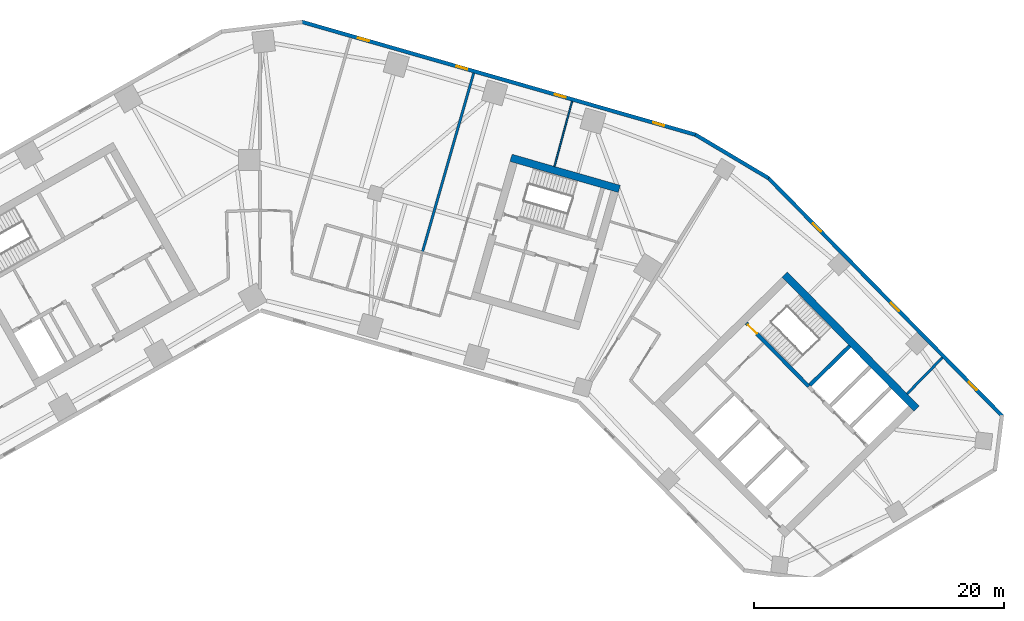
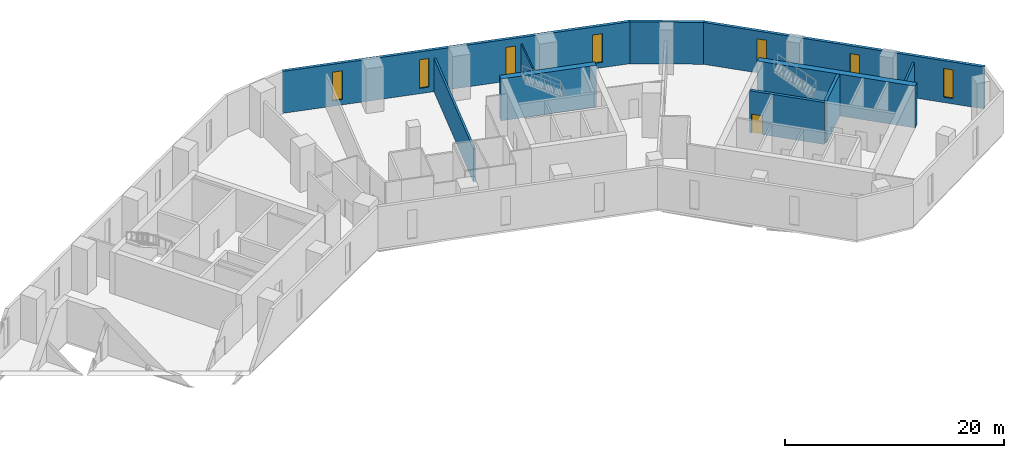
# One storey, part 7 of 10: 10 walls, 7 windows, 1 door, 8 openings.
"""IFC4 building model written with IfcOpenShell, lengths in metres."""

import ifcopenshell
import ifcopenshell.guid

model = None  # the IFC model being written
_history = None  # IfcOwnerHistory: only IFC2X3 demands one
_inside = {}  # id of a spatial element -> (the spatial element, [elements in it])
_under = {}  # id of a project, library or spatial element -> (it, [spatial elements below it])
_declared = {}  # id of a project -> (the project, [libraries it declares])
_typed = {}  # id of a type object -> (the type object, [elements of that type])
_made_of = {}  # id of a material, layer set ... -> (it, [elements and type objects made of it])


def new_model(schema):
    """Start an empty IFC model of exactly this schema.

    Asked for "IFC4X3", IfcOpenShell would pick the latest addendum, in which some entities
    have other attributes; the version numbers below select the first issue.
    IFC2X3 requires an IfcOwnerHistory on every rooted entity: one is made here for all.
    """
    global model, _history
    if schema == "IFC4X3":
        model = ifcopenshell.file(schema_version=(4, 3, 0, 0))
    else:
        model = ifcopenshell.file(schema=schema)
    _inside.clear()
    _under.clear()
    _declared.clear()
    _typed.clear()
    _made_of.clear()
    _history = None
    if model.schema == "IFC2X3":
        org = make("IfcOrganization", Name="unknown")
        user = make(
            "IfcPersonAndOrganization",
            ThePerson=make("IfcPerson", FamilyName="unknown"),
            TheOrganization=org,
        )
        app = make(
            "IfcApplication",
            ApplicationDeveloper=org,
            Version="unknown",
            ApplicationFullName="unknown",
            ApplicationIdentifier="unknown",
        )
        _history = make(
            "IfcOwnerHistory",
            OwningUser=user,
            OwningApplication=app,
            ChangeAction="ADDED",
            CreationDate=0,
        )
    return model


def make(cls, **values):
    """One entity of the class cls with the attributes given. An attribute that is None is left unset."""
    return model.create_entity(
        cls, **{name: value for name, value in values.items() if value is not None}
    )


def rooted(cls, **values):
    """An entity with a GlobalId (a new one), such as an element, a storey or a relation."""
    return make(cls, GlobalId=ifcopenshell.guid.new(), OwnerHistory=_history, **values)


def si_unit(unit_type, name, prefix=None):
    """IfcSIUnit, for example si_unit("LENGTHUNIT", "METRE", prefix="MILLI")."""
    return make("IfcSIUnit", UnitType=unit_type, Prefix=prefix, Name=name)


def assignment(units):
    """IfcUnitAssignment: the units of a project."""
    return None if units is None else make("IfcUnitAssignment", Units=units)


def point(xyz):
    """IfcCartesianPoint."""
    return None if xyz is None else make("IfcCartesianPoint", Coordinates=xyz)


def direction(xyz):
    """IfcDirection."""
    return None if xyz is None else make("IfcDirection", DirectionRatios=xyz)


def frame(location, z_axis=None, x_axis=None):
    """IfcAxis2Placement3D, a coordinate frame: its origin and axes. An axis left out is left unset."""
    return make(
        "IfcAxis2Placement3D",
        Location=point(location),
        Axis=direction(z_axis),
        RefDirection=direction(x_axis),
    )


def frame_2d(location, x_axis=None):
    """IfcAxis2Placement2D, a coordinate frame in the plane: its origin and x axis."""
    return make(
        "IfcAxis2Placement2D", Location=point(location), RefDirection=direction(x_axis)
    )


def origin():
    """The frame at (0, 0, 0) with its axes left unset."""
    return frame((0.0, 0.0, 0.0))


def place(relative_to, where):
    """IfcLocalPlacement: puts the frame where relative to a parent placement (None: the world)."""
    return make(
        "IfcLocalPlacement", PlacementRelTo=relative_to, RelativePlacement=where
    )


def context(
    kind, dimensions, precision=None, world=None, true_north=None, identifier=None
):
    """IfcGeometricRepresentationContext, for example the 3D "Model" context."""
    return make(
        "IfcGeometricRepresentationContext",
        ContextIdentifier=identifier,
        ContextType=kind,
        CoordinateSpaceDimension=dimensions,
        Precision=precision,
        WorldCoordinateSystem=world,
        TrueNorth=true_north,
    )


def subcontext(parent, identifier, kind, view, scale=None):
    """IfcGeometricRepresentationSubContext, for example "Body" below "Model"."""
    return make(
        "IfcGeometricRepresentationSubContext",
        ContextIdentifier=identifier,
        ContextType=kind,
        ParentContext=parent,
        TargetScale=scale,
        TargetView=view,
    )


def project(units=None, contexts=None):
    """IfcProject with its units and contexts."""
    return rooted(
        "IfcProject",
        Name="project",
        RepresentationContexts=contexts,
        UnitsInContext=assignment(units),
    )


def spatial(cls, under=None, at=None, **own):
    """A site, building, storey or space (cls), placed at a placement, below another one or the project."""
    s = rooted(cls, ObjectPlacement=at, **own)
    if under is not None:
        _under.setdefault(under.id(), (under, []))[1].append(s)
    return s


def profile(cls, at=None, kind="AREA", **sizes):
    """A parametric profile (cls). Its sizes go by their IFC names, for example OverallWidth=200.0."""
    return make(cls, ProfileType=kind, Position=at, **sizes)


def rectangle(**sizes):
    """IfcRectangleProfileDef."""
    return profile("IfcRectangleProfileDef", **sizes)


def extrude(swept, where, along, depth):
    """IfcExtrudedAreaSolid: the profile swept, set in the frame where, extruded along a direction by depth."""
    return make(
        "IfcExtrudedAreaSolid",
        SweptArea=swept,
        Position=where,
        ExtrudedDirection=direction(along),
        Depth=depth,
    )


def shape(context_of_items, identifier, shape_type, items):
    """IfcShapeRepresentation: the items that make up one representation, for example the "Body"."""
    return make(
        "IfcShapeRepresentation",
        ContextOfItems=context_of_items,
        RepresentationIdentifier=identifier,
        RepresentationType=shape_type,
        Items=items,
    )


def material(Name=None, Category=None):
    """IfcMaterial."""
    return make("IfcMaterial", Name=Name, Category=Category)


def layer(
    of_material, thickness, ventilated=None, Name=None, Category=None, Priority=None
):
    """IfcMaterialLayer: one layer of a wall or slab, of a material (None: an air gap)."""
    return make(
        "IfcMaterialLayer",
        Material=of_material,
        LayerThickness=thickness,
        IsVentilated=ventilated,
        Name=Name,
        Category=Category,
        Priority=Priority,
    )


def layer_set(layers, Name=None):
    """IfcMaterialLayerSet."""
    return make("IfcMaterialLayerSet", MaterialLayers=layers, LayerSetName=Name)


def made_of(thing, what):
    """Note that an element or type object is made of a material, layer set ...; save() writes the relation."""
    if what is not None:
        _made_of.setdefault(what.id(), (what, []))[1].append(thing)
    return thing


def type_object(cls, material=None, **own):
    """A type object (cls), such as IfcWallType, which elements share."""
    return made_of(rooted(cls, **own), material)


def element(
    cls,
    number,
    at=None,
    inside=None,
    cuts=None,
    type_object=None,
    material=None,
    context=None,
    identifier="Body",
    shape_type=None,
    held_by="IfcProductDefinitionShape",
    body=None,
    shapes=None,
    **own,
):
    """One element of the class cls, such as IfcWall. Its Tag is "e" and its number.

    at: its placement. inside: the storey or other place that contains it. cuts: it is an
    opening in that element (IfcRelVoidsElement). A single representation is given by context,
    identifier, shape_type and body (its items); several are given by shapes. held_by: the class
    of the entity that holds the representations. save() writes the other relations.
    """
    e = rooted(cls, Tag="e%d" % number, ObjectPlacement=at, **own)
    if body is not None:
        shapes = [shape(context, identifier, shape_type, body)]
    if shapes is not None:
        e.Representation = make(held_by, Representations=shapes)
    if inside is not None:
        _inside.setdefault(inside.id(), (inside, []))[1].append(e)
    if cuts is not None:
        rooted(
            "IfcRelVoidsElement", RelatingBuildingElement=cuts, RelatedOpeningElement=e
        )
    if type_object is not None:
        _typed.setdefault(type_object.id(), (type_object, []))[1].append(e)
    return made_of(e, material)


def fill(opening, filler):
    """IfcRelFillsElement: the door or window that sits in an opening."""
    return rooted(
        "IfcRelFillsElement",
        RelatingOpeningElement=opening,
        RelatedBuildingElement=filler,
    )


def aggregate(whole, parts):
    """IfcRelAggregates: a whole, such as a stair, and the parts it consists of."""
    return rooted("IfcRelAggregates", RelatingObject=whole, RelatedObjects=parts)


def save(model, path):
    """Write the relations noted so far, then the file.

    IfcRelAggregates (storeys below a building ...), IfcRelContainedInSpatialStructure (elements
    in a storey), IfcRelDefinesByType, IfcRelAssociatesMaterial and IfcRelDeclares: one each for
    every whole, place, type object, material and project.
    """
    for whole, parts in _under.values():
        aggregate(whole, parts)
    for where, things in _inside.values():
        rooted(
            "IfcRelContainedInSpatialStructure",
            RelatedElements=things,
            RelatingStructure=where,
        )
    for kind, things in _typed.values():
        rooted("IfcRelDefinesByType", RelatedObjects=things, RelatingType=kind)
    for what, things in _made_of.values():
        rooted("IfcRelAssociatesMaterial", RelatedObjects=things, RelatingMaterial=what)
    for by, libraries in _declared.values():
        rooted("IfcRelDeclares", RelatingContext=by, RelatedDefinitions=libraries)
    model.write(path)


model = new_model("IFC4")

# Units and contexts
model_context = context("Model", 3, precision=1e-05, world=origin(), true_north=direction((0.0, 1.0)))
body_context = subcontext(model_context, "Body", "Model", "MODEL_VIEW")
ifc_project = project(units=[si_unit("LENGTHUNIT", "METRE"), si_unit("AREAUNIT", "SQUARE_METRE"), si_unit("VOLUMEUNIT", "CUBIC_METRE"), si_unit("PLANEANGLEUNIT", "RADIAN"), si_unit("MASSUNIT", "GRAM", prefix="KILO")], contexts=[model_context])

# Site, building, storey
site_placement = place(None, origin())
site = spatial("IfcSite", under=ifc_project, at=site_placement, CompositionType="ELEMENT")
building_placement = place(site_placement, origin())
building = spatial("IfcBuilding", under=site, at=building_placement, Name="Binnacle Exchange Tower", CompositionType="ELEMENT")
storey_placement = place(building_placement, frame((0.0, 0.0, 71.5)))
storey = spatial("IfcBuildingStorey", under=building, at=storey_placement, Name="L14", CompositionType="ELEMENT", Elevation=71.5)

# Walls
ifc_material_1 = material(Name="Concrete C70/85", Category="concrete")
ifc_layer_1 = layer(ifc_material_1, 0.60009765625)
ifc_layer_set_1 = layer_set([ifc_layer_1], Name="Core wall - outer 600")
wall_type_1 = type_object("IfcWallType", Name="Core wall - outer 600", PredefinedType="SOLIDWALL", material=ifc_layer_set_1)
wall_1_placement = place(storey_placement, frame((41.91650390625, 50.855712890625, 0.0), z_axis=(0.0, 0.0, 1.0), x_axis=(0.700911255944, -0.713248491965, 0.0)))
element("IfcWall", 1, at=wall_1_placement, inside=storey, type_object=wall_type_1, Name="Core wall CRWB6", PredefinedType="SOLIDWALL", context=body_context, shape_type="SweptSolid", body=[
    extrude(rectangle(XDim=15.0, YDim=0.60009765625, at=frame_2d((7.5, 0.0))), origin(), (0.0, 0.0, 1.0), 4.679931640625),
])
wall_2_placement = place(storey_placement, frame((20.052734375, 60.1796875, 0.0), z_axis=(0.0, 0.0, 1.0), x_axis=(0.96126248289, -0.275634611374, 0.0)))
element("IfcWall", 2, at=wall_2_placement, inside=storey, type_object=wall_type_1, Name="Core wall CRWD6", PredefinedType="SOLIDWALL", context=body_context, shape_type="SweptSolid", body=[
    extrude(rectangle(XDim=9.0, YDim=0.60009765625, at=frame_2d((4.5, 0.0))), origin(), (0.0, 0.0, 1.0), 4.679931640625),
])

# Wall, opening, door
ifc_layer_2 = layer(ifc_material_1, 0.300048828125)
ifc_layer_set_2 = layer_set([ifc_layer_2], Name="Core wall - stair 300")
wall_type_2 = type_object("IfcWallType", Name="Core wall - stair 300", PredefinedType="SOLIDWALL", material=ifc_layer_set_2)
wall_3_placement = place(storey_placement, frame((38.842041015625, 46.993408203125, 0.0), z_axis=(0.0, 0.0, 1.0), x_axis=(0.700907701701, -0.713251984713, 0.0)))
wall_3 = element("IfcWall", 3, at=wall_3_placement, inside=storey, type_object=wall_type_2, Name="Core wall CRWB4", PredefinedType="SOLIDWALL", context=body_context, shape_type="SweptSolid", body=[
    extrude(rectangle(XDim=7.10009765625, YDim=0.300048828125, at=frame_2d((3.550048828125, 0.0))), origin(), (0.0, 0.0, 1.0), 4.679931640625),
])
opening_1_placement = place(wall_3_placement, frame((0.199951171875, 0.0, 0.0)))
opening_1 = element("IfcOpeningElement", 4, at=opening_1_placement, cuts=wall_3, Name="Opening DB1", PredefinedType="OPENING", context=body_context, shape_type="SweptSolid", body=[
    extrude(rectangle(XDim=1.0, YDim=2.10009765625, at=frame_2d((0.5, 1.050048828125))), frame((0.0, 0.159912109375, 0.0), z_axis=(0.0, -1.0, 0.0), x_axis=(1.0, 0.0, 0.0)), (0.0, 0.0, 1.0), 0.320068359375),
])
ifc_material_2 = material(Name="Steel door leaf", Category="steel")
door_type = type_object("IfcDoorType", Name="Fire door 1000", OperationType="NOTDEFINED", PredefinedType="DOOR", material=ifc_material_2)
door_placement = place(opening_1_placement, origin())
door = element("IfcDoor", 5, at=door_placement, inside=storey, type_object=door_type, Name="Stair door ST-B1", OperationType="SINGLE_SWING_LEFT", OverallHeight=2.10009765625, OverallWidth=1.0, PredefinedType="DOOR", context=body_context, shape_type="SweptSolid", body=[
    extrude(rectangle(XDim=1.0, YDim=2.10009765625, at=frame_2d((0.5, 1.050048828125))), frame((0.0, 0.02490234375, 0.0), z_axis=(0.0, -1.0, 0.0), x_axis=(1.0, 0.0, 0.0)), (0.0, 0.0, 1.0), 0.050048828125),
])
fill(opening_1, door)

# Walls
wall_4_placement = place(storey_placement, frame((43.925537109375, 42.034423828125, 0.0), z_axis=(0.0, 0.0, 1.0), x_axis=(0.713251741427, 0.700907949271, 0.0)))
element("IfcWall", 6, at=wall_4_placement, inside=storey, type_object=wall_type_2, Name="Core wall CRWB11", PredefinedType="SOLIDWALL", context=body_context, shape_type="SweptSolid", body=[
    extrude(rectangle(XDim=4.4501953125, YDim=0.300048828125, at=frame_2d((2.22509765625, 0.0))), origin(), (0.0, 0.0, 1.0), 4.679931640625),
])
ifc_material_3 = material(Name="Bronze aluminium cladding", Category="aluminium")
ifc_layer_3 = layer(ifc_material_3, 0.300048828125)
ifc_layer_set_3 = layer_set([ifc_layer_3], Name="External wall - spandrel 300")
wall_type_3 = type_object("IfcWallType", Name="External wall - spandrel 300", PredefinedType="STANDARD", material=ifc_layer_set_3)
wall_5_placement = place(storey_placement, frame((34.773193359375, 62.0341796875, 0.0), z_axis=(0.0, 0.0, 1.0), x_axis=(0.859401317772, -0.511301647769, 0.0)))
element("IfcWall", 7, at=wall_5_placement, inside=storey, type_object=wall_type_3, Name="External wall EW-F00 L14", PredefinedType="STANDARD", context=body_context, shape_type="SweptSolid", body=[
    extrude(rectangle(XDim=6.80810546875, YDim=0.300048828125, at=frame_2d((3.404052734375, 0.0))), origin(), (0.0, 0.0, 1.0), 4.679931640625),
])

# Wall, openings, windows
wall_6_placement = place(storey_placement, frame((3.33544921875, 71.043701171875, 0.0), z_axis=(0.0, 0.0, 1.0), x_axis=(0.961260130989, -0.275642813387, 0.0)))
wall_6 = element("IfcWall", 8, at=wall_6_placement, inside=storey, type_object=wall_type_3, Name="External wall EW-F01 L14", PredefinedType="STANDARD", context=body_context, shape_type="SweptSolid", body=[
    extrude(rectangle(XDim=32.7412109375, YDim=0.300048828125, at=frame_2d((16.37060546875, 0.0))), origin(), (0.0, 0.0, 1.0), 4.679931640625),
])
opening_2_placement = place(wall_6_placement, frame((29.20703125, 0.0, 0.60009765625)))
opening_2 = element("IfcOpeningElement", 9, at=opening_2_placement, cuts=wall_6, Name="Opening WS1", PredefinedType="OPENING", context=body_context, shape_type="SweptSolid", body=[
    extrude(rectangle(XDim=0.89990234375, YDim=3.199951171875, at=frame_2d((0.449951171875, 1.60009765625))), frame((0.0, 0.159912109375, 0.0), z_axis=(0.0, -1.0, 0.0), x_axis=(1.0, 0.0, 0.0)), (0.0, 0.0, 1.0), 0.320068359375),
])
opening_3_placement = place(wall_6_placement, frame((21.0341796875, 0.0, 0.60009765625)))
opening_3 = element("IfcOpeningElement", 10, at=opening_3_placement, cuts=wall_6, Name="Opening WS1", PredefinedType="OPENING", context=body_context, shape_type="SweptSolid", body=[
    extrude(rectangle(XDim=0.89990234375, YDim=3.199951171875, at=frame_2d((0.449951171875, 1.60009765625))), frame((0.0, 0.159912109375, 0.0), z_axis=(0.0, -1.0, 0.0), x_axis=(1.0, 0.0, 0.0)), (0.0, 0.0, 1.0), 0.320068359375),
])
opening_4_placement = place(wall_6_placement, frame((12.861083984375, 0.0, 0.60009765625)))
opening_4 = element("IfcOpeningElement", 11, at=opening_4_placement, cuts=wall_6, Name="Opening WS1", PredefinedType="OPENING", context=body_context, shape_type="SweptSolid", body=[
    extrude(rectangle(XDim=0.89990234375, YDim=3.199951171875, at=frame_2d((0.449951171875, 1.60009765625))), frame((0.0, 0.159912109375, 0.0), z_axis=(0.0, -1.0, 0.0), x_axis=(1.0, 0.0, 0.0)), (0.0, 0.0, 1.0), 0.320068359375),
])
opening_5_placement = place(wall_6_placement, frame((4.688232421875, 0.0, 0.60009765625)))
opening_5 = element("IfcOpeningElement", 12, at=opening_5_placement, cuts=wall_6, Name="Opening WS1", PredefinedType="OPENING", context=body_context, shape_type="SweptSolid", body=[
    extrude(rectangle(XDim=0.89990234375, YDim=3.199951171875, at=frame_2d((0.449951171875, 1.60009765625))), frame((0.0, 0.159912109375, 0.0), z_axis=(0.0, -1.0, 0.0), x_axis=(1.0, 0.0, 0.0)), (0.0, 0.0, 1.0), 0.320068359375),
])
ifc_material_4 = material(Name="Bronze anodised aluminium frame", Category="aluminium")
window_type = type_object("IfcWindowType", Name="WS1 WINDOW 900x3200", PartitioningType="SINGLE_PANEL", PredefinedType="WINDOW", material=ifc_material_4)
window_1_placement = place(opening_2_placement, origin())
window_1 = element("IfcWindow", 13, at=window_1_placement, inside=storey, type_object=window_type, Name="Window WS1 L14", OverallHeight=3.199951171875, OverallWidth=0.89990234375, PartitioningType="SINGLE_PANEL", PredefinedType="WINDOW", context=body_context, shape_type="SweptSolid", body=[
    extrude(rectangle(XDim=0.89990234375, YDim=3.199951171875, at=frame_2d((0.449951171875, 1.60009765625))), frame((0.0, 0.030029296875, 0.0), z_axis=(0.0, -1.0, 0.0), x_axis=(1.0, 0.0, 0.0)), (0.0, 0.0, 1.0), 0.06005859375),
])
fill(opening_2, window_1)
window_2_placement = place(opening_3_placement, origin())
window_2 = element("IfcWindow", 14, at=window_2_placement, inside=storey, type_object=window_type, Name="Window WS1 L14", OverallHeight=3.199951171875, OverallWidth=0.89990234375, PartitioningType="SINGLE_PANEL", PredefinedType="WINDOW", context=body_context, shape_type="SweptSolid", body=[
    extrude(rectangle(XDim=0.89990234375, YDim=3.199951171875, at=frame_2d((0.449951171875, 1.60009765625))), frame((0.0, 0.030029296875, 0.0), z_axis=(0.0, -1.0, 0.0), x_axis=(1.0, 0.0, 0.0)), (0.0, 0.0, 1.0), 0.06005859375),
])
fill(opening_3, window_2)
window_3_placement = place(opening_4_placement, origin())
window_3 = element("IfcWindow", 15, at=window_3_placement, inside=storey, type_object=window_type, Name="Window WS1 L14", OverallHeight=3.199951171875, OverallWidth=0.89990234375, PartitioningType="SINGLE_PANEL", PredefinedType="WINDOW", context=body_context, shape_type="SweptSolid", body=[
    extrude(rectangle(XDim=0.89990234375, YDim=3.199951171875, at=frame_2d((0.449951171875, 1.60009765625))), frame((0.0, 0.030029296875, 0.0), z_axis=(0.0, -1.0, 0.0), x_axis=(1.0, 0.0, 0.0)), (0.0, 0.0, 1.0), 0.06005859375),
])
fill(opening_4, window_3)
window_4_placement = place(opening_5_placement, origin())
window_4 = element("IfcWindow", 16, at=window_4_placement, inside=storey, type_object=window_type, Name="Window WS1 L14", OverallHeight=3.199951171875, OverallWidth=0.89990234375, PartitioningType="SINGLE_PANEL", PredefinedType="WINDOW", context=body_context, shape_type="SweptSolid", body=[
    extrude(rectangle(XDim=0.89990234375, YDim=3.199951171875, at=frame_2d((0.449951171875, 1.60009765625))), frame((0.0, 0.030029296875, 0.0), z_axis=(0.0, -1.0, 0.0), x_axis=(1.0, 0.0, 0.0)), (0.0, 0.0, 1.0), 0.06005859375),
])
fill(opening_5, window_4)

wall_7_placement = place(storey_placement, frame((40.59375, 58.576904296875, 0.0), z_axis=(0.0, 0.0, 1.0), x_axis=(0.700909719808, -0.713250001528, 0.0)))
wall_7 = element("IfcWall", 17, at=wall_7_placement, inside=storey, type_object=wall_type_3, Name="External wall EW-F13 L14", PredefinedType="STANDARD", context=body_context, shape_type="SweptSolid", body=[
    extrude(rectangle(XDim=26.70849609375, YDim=0.300048828125, at=frame_2d((13.354248046875, 0.0))), origin(), (0.0, 0.0, 1.0), 4.679931640625),
])
opening_6_placement = place(wall_7_placement, frame((22.8583984375, 0.0, 0.60009765625)))
opening_6 = element("IfcOpeningElement", 18, at=opening_6_placement, cuts=wall_7, Name="Opening WS1", PredefinedType="OPENING", context=body_context, shape_type="SweptSolid", body=[
    extrude(rectangle(XDim=0.89990234375, YDim=3.199951171875, at=frame_2d((0.449951171875, 1.60009765625))), frame((0.0, 0.159912109375, 0.0), z_axis=(0.0, -1.0, 0.0), x_axis=(1.0, 0.0, 0.0)), (0.0, 0.0, 1.0), 0.320068359375),
])
opening_7_placement = place(wall_7_placement, frame((13.986572265625, 0.0, 0.60009765625)))
opening_7 = element("IfcOpeningElement", 19, at=opening_7_placement, cuts=wall_7, Name="Opening WS1", PredefinedType="OPENING", context=body_context, shape_type="SweptSolid", body=[
    extrude(rectangle(XDim=0.89990234375, YDim=3.199951171875, at=frame_2d((0.449951171875, 1.60009765625))), frame((0.0, 0.159912109375, 0.0), z_axis=(0.0, -1.0, 0.0), x_axis=(1.0, 0.0, 0.0)), (0.0, 0.0, 1.0), 0.320068359375),
])
opening_8_placement = place(wall_7_placement, frame((5.114501953125, 0.0, 0.60009765625)))
opening_8 = element("IfcOpeningElement", 20, at=opening_8_placement, cuts=wall_7, Name="Opening WS1", PredefinedType="OPENING", context=body_context, shape_type="SweptSolid", body=[
    extrude(rectangle(XDim=0.89990234375, YDim=3.199951171875, at=frame_2d((0.449951171875, 1.60009765625))), frame((0.0, 0.159912109375, 0.0), z_axis=(0.0, -1.0, 0.0), x_axis=(1.0, 0.0, 0.0)), (0.0, 0.0, 1.0), 0.320068359375),
])
window_5_placement = place(opening_6_placement, origin())
window_5 = element("IfcWindow", 21, at=window_5_placement, inside=storey, type_object=window_type, Name="Window WS1 L14", OverallHeight=3.199951171875, OverallWidth=0.89990234375, PartitioningType="SINGLE_PANEL", PredefinedType="WINDOW", context=body_context, shape_type="SweptSolid", body=[
    extrude(rectangle(XDim=0.89990234375, YDim=3.199951171875, at=frame_2d((0.449951171875, 1.60009765625))), frame((0.0, 0.030029296875, 0.0), z_axis=(0.0, -1.0, 0.0), x_axis=(1.0, 0.0, 0.0)), (0.0, 0.0, 1.0), 0.06005859375),
])
fill(opening_6, window_5)
window_6_placement = place(opening_7_placement, origin())
window_6 = element("IfcWindow", 22, at=window_6_placement, inside=storey, type_object=window_type, Name="Window WS1 L14", OverallHeight=3.199951171875, OverallWidth=0.89990234375, PartitioningType="SINGLE_PANEL", PredefinedType="WINDOW", context=body_context, shape_type="SweptSolid", body=[
    extrude(rectangle(XDim=0.89990234375, YDim=3.199951171875, at=frame_2d((0.449951171875, 1.60009765625))), frame((0.0, 0.030029296875, 0.0), z_axis=(0.0, -1.0, 0.0), x_axis=(1.0, 0.0, 0.0)), (0.0, 0.0, 1.0), 0.06005859375),
])
fill(opening_7, window_6)
window_7_placement = place(opening_8_placement, origin())
window_7 = element("IfcWindow", 23, at=window_7_placement, inside=storey, type_object=window_type, Name="Window WS1 L14", OverallHeight=3.199951171875, OverallWidth=0.89990234375, PartitioningType="SINGLE_PANEL", PredefinedType="WINDOW", context=body_context, shape_type="SweptSolid", body=[
    extrude(rectangle(XDim=0.89990234375, YDim=3.199951171875, at=frame_2d((0.449951171875, 1.60009765625))), frame((0.0, 0.030029296875, 0.0), z_axis=(0.0, -1.0, 0.0), x_axis=(1.0, 0.0, 0.0)), (0.0, 0.0, 1.0), 0.06005859375),
])
fill(opening_8, window_7)

# Walls
ifc_material_5 = material(Name="Masonry block wall", Category="masonry")
ifc_layer_4 = layer(ifc_material_5, 0.199951171875)
ifc_layer_set_4 = layer_set([ifc_layer_4], Name="Fire wall - block 200")
wall_type_4 = type_object("IfcWallType", Name="Fire wall - block 200", PredefinedType="PARTITIONING", material=ifc_layer_set_4)
wall_8_placement = place(storey_placement, frame((12.97412109375, 52.638916015625, 0.0), z_axis=(0.0, 0.0, 1.0), x_axis=(0.275299463768, 0.961358520662, 0.0)))
element("IfcWall", 24, at=wall_8_placement, inside=storey, type_object=wall_type_4, Name="Partition W29", PredefinedType="PARTITIONING", context=body_context, shape_type="SweptSolid", body=[
    extrude(rectangle(XDim=14.88525390625, YDim=0.199951171875, at=frame_2d((7.442626953125, 0.0))), origin(), (0.0, 0.0, 1.0), 3.741943359375),
])
wall_9_placement = place(storey_placement, frame((51.68798828125, 41.340087890625, 0.0), z_axis=(0.0, 0.0, 1.0), x_axis=(0.698090794369, 0.716009247718, 0.0)))
element("IfcWall", 25, at=wall_9_placement, inside=storey, type_object=wall_type_4, Name="Partition W44", PredefinedType="PARTITIONING", context=body_context, shape_type="SweptSolid", body=[
    extrude(rectangle(XDim=4.019287109375, YDim=0.199951171875, at=frame_2d((2.009765625, 0.0))), origin(), (0.0, 0.0, 1.0), 3.9599609375),
])
ifc_material_6 = material(Name="Gypsum partition")
ifc_layer_5 = layer(ifc_material_6, 0.125)
ifc_layer_set_5 = layer_set([ifc_layer_5], Name="Partition 125")
wall_type_5 = type_object("IfcWallType", Name="Partition 125", PredefinedType="PARTITIONING", material=ifc_layer_set_5)
wall_10_placement = place(storey_placement, frame((23.52294921875, 59.4970703125, 0.0), z_axis=(0.0, 0.0, 1.0), x_axis=(0.261275557939, 0.965264255437, 0.0)))
element("IfcWall", 26, at=wall_10_placement, inside=storey, type_object=wall_type_5, Name="Partition W35", PredefinedType="PARTITIONING", context=body_context, shape_type="SweptSolid", body=[
    extrude(rectangle(XDim=5.385009765625, YDim=0.125, at=frame_2d((2.6923828125, 0.0))), origin(), (0.0, 0.0, 1.0), 3.9599609375),
])

save(model, "model.ifc")
